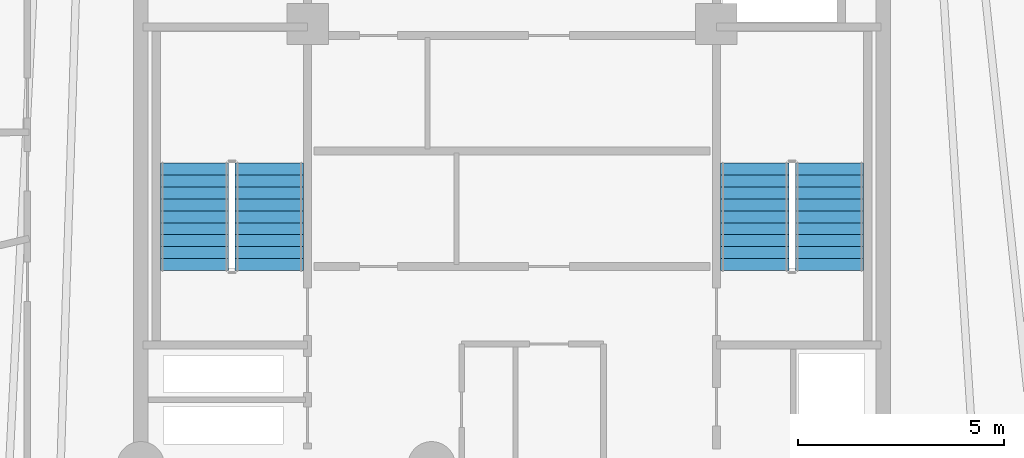
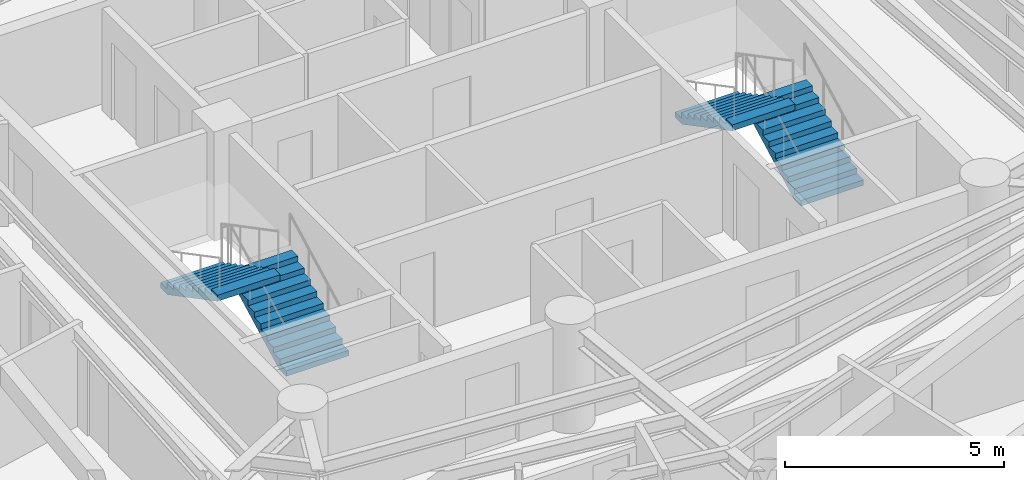
# One storey, part 6 of 7: 4 stair flights, 2 elements without a shape of their own.
"""IFC4 building model written with IfcOpenShell, lengths in metres."""

from ifc_helpers import new_model, si_unit, direction, frame, origin, place, context, subcontext, project, spatial, polyline, outline, extrude, material, type_object, element, aggregate, save


model = new_model("IFC4")

# Units and contexts
model_context = context("Model", 3, precision=1e-05, world=origin(), true_north=direction((0.0, 1.0)))
body_context = subcontext(model_context, "Body", "Model", "MODEL_VIEW")
ifc_project = project(units=[si_unit("LENGTHUNIT", "METRE"), si_unit("AREAUNIT", "SQUARE_METRE"), si_unit("VOLUMEUNIT", "CUBIC_METRE"), si_unit("PLANEANGLEUNIT", "RADIAN"), si_unit("MASSUNIT", "GRAM", prefix="KILO")], contexts=[model_context])

# Site, building, storey
site_placement = place(None, origin())
site = spatial("IfcSite", under=ifc_project, at=site_placement, CompositionType="ELEMENT")
building_placement = place(site_placement, origin())
building = spatial("IfcBuilding", under=site, at=building_placement, Name="Karkom Vertical University and Central Library", CompositionType="ELEMENT")
storey_placement = place(building_placement, frame((0.0, 0.0, 253.5)))
storey = spatial("IfcBuildingStorey", under=building, at=storey_placement, Name="L75", CompositionType="ELEMENT", Elevation=253.5)

# Stair, stair flights
ifc_material = material(Name="Concrete C45/55", Category="concrete")
stair_type = type_object("IfcStairType", Name="INT-STR-ST-MAIN", PredefinedType="HALF_TURN_STAIR", material=ifc_material)
stair_1_placement = place(storey_placement, origin())
stair_1 = element("IfcStair", 1, at=stair_1_placement, inside=storey, type_object=stair_type, Name="Level 75 Tower Protected Exit Stair ST-1", PredefinedType="HALF_TURN_STAIR")
stair_flight_type = type_object("IfcStairFlightType", Name="INT-SFL-ST-MAIN", PredefinedType="STRAIGHT", material=ifc_material)
stair_flight_1_placement = place(storey_placement, frame((22.614990234375, 23.02001953125, 0.0), z_axis=(0.0, 0.0, 1.0), x_axis=(0.0, 1.0, 0.0)))
stair_flight_1 = element("IfcStairFlight", 2, at=stair_flight_1_placement, type_object=stair_flight_type, Name="ST-1 flight 1", NumberOfRisers=10, NumberOfTreads=9, PredefinedType="STRAIGHT", RiserHeight=0.1525, TreadLength=0.29, context=body_context, shape_type="SweptSolid", body=[
    extrude(outline(polyline([(0.0, 0.0), (0.0, 0.152587890625), (0.2900390625, 0.152587890625), (0.2900390625, 0.304931640625), (0.580078125, 0.304931640625), (0.580078125, 0.45751953125), (0.8701171875, 0.45751953125), (0.8701171875, 0.610107421875), (1.159912109375, 0.610107421875), (1.159912109375, 0.762451171875), (1.449951171875, 0.762451171875), (1.449951171875, 0.9150390625), (1.739990234375, 0.9150390625), (1.739990234375, 1.0673828125), (2.030029296875, 1.0673828125), (2.030029296875, 1.219970703125), (2.320068359375, 1.219970703125), (2.320068359375, 1.37255859375), (2.610107421875, 1.37255859375), (2.610107421875, 1.52490234375), (2.610107421875, 1.203125), (0.322021484375, 0.0), (0.0, 0.0)])), frame((0.0, 0.824951171875, 0.0), z_axis=(0.0, -1.0, 0.0), x_axis=(1.0, 0.0, 0.0)), (0.0, 0.0, 1.0), 1.64990234375),
])
stair_flight_2_placement = place(storey_placement, frame((20.804931640625, 25.6298828125, 1.52490234375), z_axis=(0.0, 0.0, 1.0), x_axis=(0.0, -1.0, 0.0)))
stair_flight_2 = element("IfcStairFlight", 3, at=stair_flight_2_placement, type_object=stair_flight_type, Name="ST-1 flight 2", NumberOfRisers=10, NumberOfTreads=9, PredefinedType="STRAIGHT", RiserHeight=0.1525, TreadLength=0.29, context=body_context, shape_type="SweptSolid", body=[
    extrude(outline(polyline([(0.0, 0.0), (0.0, 0.152587890625), (0.2900390625, 0.152587890625), (0.2900390625, 0.304931640625), (0.580078125, 0.304931640625), (0.580078125, 0.45751953125), (0.8701171875, 0.45751953125), (0.8701171875, 0.610107421875), (1.159912109375, 0.610107421875), (1.159912109375, 0.762451171875), (1.449951171875, 0.762451171875), (1.449951171875, 0.9150390625), (1.739990234375, 0.9150390625), (1.739990234375, 1.0673828125), (2.030029296875, 1.0673828125), (2.030029296875, 1.219970703125), (2.320068359375, 1.219970703125), (2.320068359375, 1.37255859375), (2.610107421875, 1.37255859375), (2.610107421875, 1.52490234375), (2.610107421875, 1.203125), (0.322021484375, 0.0), (0.0, 0.0)])), frame((0.0, 0.824951171875, 0.0), z_axis=(0.0, -1.0, 0.0), x_axis=(1.0, 0.0, 0.0)), (0.0, 0.0, 1.0), 1.64990234375),
])
aggregate(stair_1, [stair_flight_1, stair_flight_2])

stair_2_placement = place(storey_placement, origin())
stair_2 = element("IfcStair", 4, at=stair_2_placement, inside=storey, type_object=stair_type, Name="Level 75 Tower Protected Exit Stair ST-2", PredefinedType="HALF_TURN_STAIR")
stair_flight_3_placement = place(storey_placement, frame((36.195068359375, 23.02001953125, 0.0), z_axis=(0.0, 0.0, 1.0), x_axis=(0.0, 1.0, 0.0)))
stair_flight_3 = element("IfcStairFlight", 5, at=stair_flight_3_placement, type_object=stair_flight_type, Name="ST-2 flight 1", NumberOfRisers=10, NumberOfTreads=9, PredefinedType="STRAIGHT", RiserHeight=0.1525, TreadLength=0.29, context=body_context, shape_type="SweptSolid", body=[
    extrude(outline(polyline([(0.0, 0.0), (0.0, 0.152587890625), (0.2900390625, 0.152587890625), (0.2900390625, 0.304931640625), (0.580078125, 0.304931640625), (0.580078125, 0.45751953125), (0.8701171875, 0.45751953125), (0.8701171875, 0.610107421875), (1.159912109375, 0.610107421875), (1.159912109375, 0.762451171875), (1.449951171875, 0.762451171875), (1.449951171875, 0.9150390625), (1.739990234375, 0.9150390625), (1.739990234375, 1.0673828125), (2.030029296875, 1.0673828125), (2.030029296875, 1.219970703125), (2.320068359375, 1.219970703125), (2.320068359375, 1.37255859375), (2.610107421875, 1.37255859375), (2.610107421875, 1.52490234375), (2.610107421875, 1.203125), (0.322021484375, 0.0), (0.0, 0.0)])), frame((0.0, 0.824951171875, 0.0), z_axis=(0.0, -1.0, 0.0), x_axis=(1.0, 0.0, 0.0)), (0.0, 0.0, 1.0), 1.64990234375),
])
stair_flight_4_placement = place(storey_placement, frame((34.385009765625, 25.6298828125, 1.52490234375), z_axis=(0.0, 0.0, 1.0), x_axis=(0.0, -1.0, 0.0)))
stair_flight_4 = element("IfcStairFlight", 6, at=stair_flight_4_placement, type_object=stair_flight_type, Name="ST-2 flight 2", NumberOfRisers=10, NumberOfTreads=9, PredefinedType="STRAIGHT", RiserHeight=0.1525, TreadLength=0.29, context=body_context, shape_type="SweptSolid", body=[
    extrude(outline(polyline([(0.0, 0.0), (0.0, 0.152587890625), (0.2900390625, 0.152587890625), (0.2900390625, 0.304931640625), (0.580078125, 0.304931640625), (0.580078125, 0.45751953125), (0.8701171875, 0.45751953125), (0.8701171875, 0.610107421875), (1.159912109375, 0.610107421875), (1.159912109375, 0.762451171875), (1.449951171875, 0.762451171875), (1.449951171875, 0.9150390625), (1.739990234375, 0.9150390625), (1.739990234375, 1.0673828125), (2.030029296875, 1.0673828125), (2.030029296875, 1.219970703125), (2.320068359375, 1.219970703125), (2.320068359375, 1.37255859375), (2.610107421875, 1.37255859375), (2.610107421875, 1.52490234375), (2.610107421875, 1.203125), (0.322021484375, 0.0), (0.0, 0.0)])), frame((0.0, 0.824951171875, 0.0), z_axis=(0.0, -1.0, 0.0), x_axis=(1.0, 0.0, 0.0)), (0.0, 0.0, 1.0), 1.64990234375),
])
aggregate(stair_2, [stair_flight_3, stair_flight_4])

save(model, "model.ifc")
